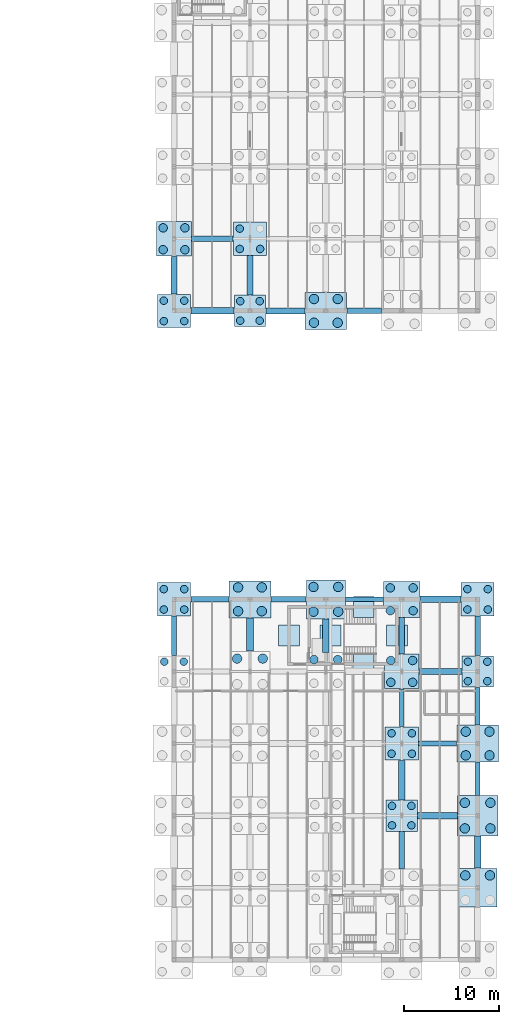
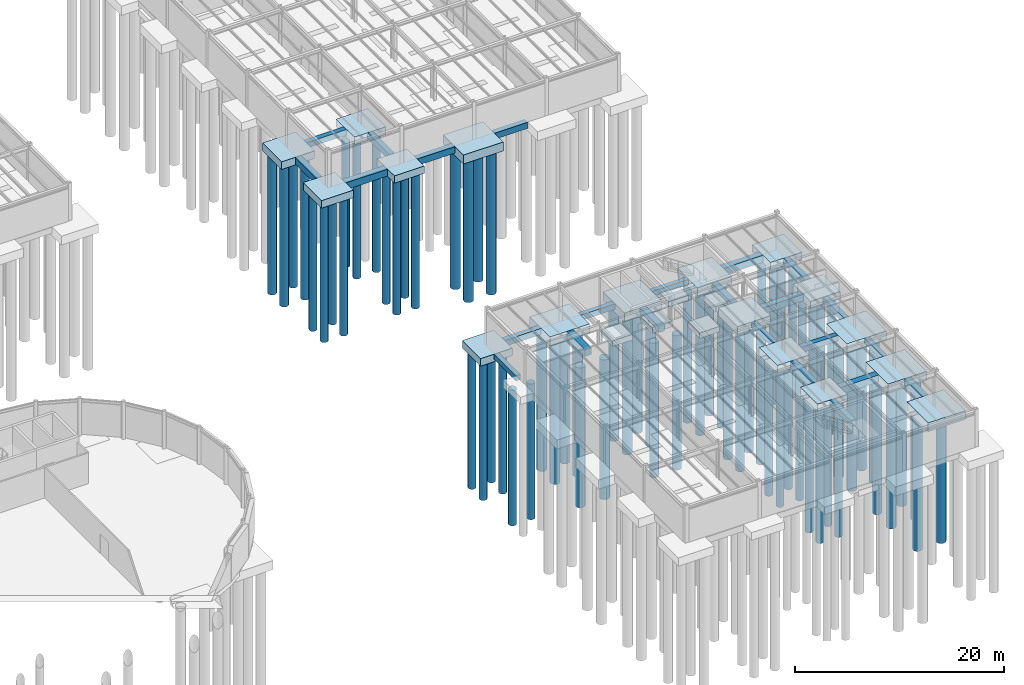
# One storey, part 7 of 33: 71 piles, 46 footings.
"""IFC4 building model written with IfcOpenShell, lengths in metres."""

from ifc_helpers import new_model, si_unit, direction, frame, origin, origin_2d, place, context, subcontext, project, spatial, rectangle, circle, extrude, material, material_profile, profile_set, type_object, element, save


model = new_model("IFC4")

# Units and contexts
model_context = context("Model", 3, precision=1e-05, world=origin(), true_north=direction((0.0, 1.0)))
body_context = subcontext(model_context, "Body", "Model", "MODEL_VIEW")
ifc_project = project(units=[si_unit("LENGTHUNIT", "METRE"), si_unit("AREAUNIT", "SQUARE_METRE"), si_unit("VOLUMEUNIT", "CUBIC_METRE"), si_unit("PLANEANGLEUNIT", "RADIAN"), si_unit("MASSUNIT", "GRAM", prefix="KILO")], contexts=[model_context])

# Site, building, storey
site_placement = place(None, origin())
site = spatial("IfcSite", under=ifc_project, at=site_placement, CompositionType="ELEMENT")
building_placement = place(site_placement, origin())
building = spatial("IfcBuilding", under=site, at=building_placement, Name="Montecoro Central Library", CompositionType="ELEMENT")
storey_placement = place(building_placement, frame((0.0, 0.0, -4.419921875)))
storey = spatial("IfcBuildingStorey", under=building, at=storey_placement, Name="B1", CompositionType="ELEMENT", Elevation=-4.419921875)

# Footings
ifc_material = material(Name="Concrete C35/45", Category="concrete")
footing_type_1 = type_object("IfcFootingType", Name="FT-PAD-220", PredefinedType="PAD_FOOTING", material=ifc_material)
for number, where, z_axis, x_axis, name in (
    (1, (161.0, 36.199951171875, -1.150146484375), (0.0, 0.0, 1.0), (1.0, 0.0, 0.0), "FT-WALL-C7-WS"),
    (2, (161.0, 42.199951171875, -1.150146484375), (0.0, 0.0, 1.0), (1.0, 0.0, 0.0), "FT-WALL-C7-WN"),
    (3, (157.5, 39.199951171875, -1.150146484375), (0.0, 0.0, 1.0), (1.0, 0.0, 0.0), "FT-WALL-C7-WW"),
    (4, (164.5, 39.199951171875, -1.150146484375), (0.0, 0.0, 1.0), (1.0, 0.0, 0.0), "FT-WALL-C7-WE"),
    (5, (153.10009765625, 39.199951171875, -1.150146484375), (0.0, 0.0, 1.0), (1.0, 0.0, 0.0), "FT-WALL-C7-LWW"),
):
    element("IfcFooting", number, at=place(storey_placement, frame(where, z_axis=z_axis, x_axis=x_axis)), inside=storey, type_object=footing_type_1, Name=name, PredefinedType="PAD_FOOTING", context=body_context, shape_type="SweptSolid", body=[
        extrude(rectangle(XDim=2.199951171875, YDim=2.199951171875, at=origin_2d()), origin(), (0.0, 0.0, 1.0), 0.64990234375),
    ])
footing_type_2 = type_object("IfcFootingType", Name="FT-PC-330", PredefinedType="PILE_CAP", material=ifc_material)
for number, where, z_axis, x_axis, name in (
    (6, (149.0, 73.39990234375, -0.85009765625), (0.0, 0.0, 1.0), (1.0, 0.0, 0.0), "V5-CAP-19-K"),
    (7, (165.0, 20.199951171875, -0.85009765625), (0.0, 0.0, 1.0), (1.0, 0.0, 0.0), "V6-CAP-21-C"),
    (8, (173.0, 35.39990234375, -0.85009765625), (0.0, 0.0, 1.0), (1.0, 0.0, 0.0), "V6-CAP-22-E"),
):
    element("IfcFooting", number, at=place(storey_placement, frame(where, z_axis=z_axis, x_axis=x_axis)), inside=storey, type_object=footing_type_2, Name=name, PredefinedType="PILE_CAP", context=body_context, shape_type="SweptSolid", body=[
        extrude(rectangle(XDim=3.300048828125, YDim=3.300048828125, at=origin_2d()), origin(), (0.0, 0.0, 1.0), 0.85009765625),
    ])
footing_type_3 = type_object("IfcFootingType", Name="FT-PC-350", PredefinedType="PILE_CAP", material=ifc_material)
for number, where, z_axis, x_axis, name in (
    (9, (141.0, 73.39990234375, -0.880126953125), (0.0, 0.0, 1.0), (1.0, 0.0, 0.0), "V5-CAP-18-K"),
    (10, (149.0, 81.0, -0.880126953125), (0.0, 0.0, 1.0), (1.0, 0.0, 0.0), "V5-CAP-19-L"),
    (11, (141.0, 43.0, -0.880126953125), (0.0, 0.0, 1.0), (1.0, 0.0, 0.0), "V6-CAP-18-F"),
    (12, (165.0, 27.800048828125, -0.880126953125), (0.0, 0.0, 1.0), (1.0, 0.0, 0.0), "V6-CAP-21-D"),
    (13, (173.0, 43.0, -0.880126953125), (0.0, 0.0, 1.0), (1.0, 0.0, 0.0), "V6-CAP-22-F"),
):
    element("IfcFooting", number, at=place(storey_placement, frame(where, z_axis=z_axis, x_axis=x_axis)), inside=storey, type_object=footing_type_3, Name=name, PredefinedType="PILE_CAP", context=body_context, shape_type="SweptSolid", body=[
        extrude(rectangle(XDim=3.5, YDim=3.5, at=origin_2d()), origin(), (0.0, 0.0, 1.0), 0.8798828125),
    ])
footing_type_4 = type_object("IfcFootingType", Name="FT-PC-365", PredefinedType="PILE_CAP", material=ifc_material)
for number, where, z_axis, x_axis, name in (
    (14, (141.0, 81.0, -0.900146484375), (0.0, 0.0, 1.0), (1.0, 0.0, 0.0), "V5-CAP-18-L"),
    (15, (165.0, 35.39990234375, -0.900146484375), (0.0, 0.0, 1.0), (1.0, 0.0, 0.0), "V6-CAP-21-E"),
):
    element("IfcFooting", number, at=place(storey_placement, frame(where, z_axis=z_axis, x_axis=x_axis)), inside=storey, type_object=footing_type_4, Name=name, PredefinedType="PILE_CAP", context=body_context, shape_type="SweptSolid", body=[
        extrude(rectangle(XDim=3.64990234375, YDim=3.64990234375, at=origin_2d()), origin(), (0.0, 0.0, 1.0), 0.89990234375),
    ])
footing_type_5 = type_object("IfcFootingType", Name="FT-PC-380", PredefinedType="PILE_CAP", material=ifc_material)
footing_1_placement = place(storey_placement, frame((165.0, 43.0, -0.9501953125), z_axis=(0.0, 0.0, 1.0), x_axis=(1.0, 0.0, 0.0)))
element("IfcFooting", 16, at=footing_1_placement, inside=storey, type_object=footing_type_5, Name="V6-CAP-21-F", PredefinedType="PILE_CAP", context=body_context, shape_type="SweptSolid", body=[
    extrude(rectangle(XDim=3.800048828125, YDim=3.800048828125, at=origin_2d()), origin(), (0.0, 0.0, 1.0), 0.949951171875),
])
footing_type_6 = type_object("IfcFootingType", Name="FT-PC-410", PredefinedType="PILE_CAP", material=ifc_material)
for number, where, z_axis, x_axis, name in (
    (17, (157.0, 43.0, -1.02001953125), (0.0, 0.0, 1.0), (1.0, 0.0, 0.0), "V6-CAP-20-F"),
    (18, (173.0, 12.60009765625, -1.02001953125), (0.0, 0.0, 1.0), (1.0, 0.0, 0.0), "V6-CAP-22-B"),
):
    element("IfcFooting", number, at=place(storey_placement, frame(where, z_axis=z_axis, x_axis=x_axis)), inside=storey, type_object=footing_type_6, Name=name, PredefinedType="PILE_CAP", context=body_context, shape_type="SweptSolid", body=[
        extrude(rectangle(XDim=4.10009765625, YDim=4.10009765625, at=origin_2d()), origin(), (0.0, 0.0, 1.0), 1.02001953125),
    ])
footing_type_7 = type_object("IfcFootingType", Name="FT-PC-425", PredefinedType="PILE_CAP", material=ifc_material)
footing_2_placement = place(storey_placement, frame((173.0, 20.199951171875, -1.06005859375), z_axis=(0.0, 0.0, 1.0), x_axis=(1.0, 0.0, 0.0)))
element("IfcFooting", 19, at=footing_2_placement, inside=storey, type_object=footing_type_7, Name="V6-CAP-22-C", PredefinedType="PILE_CAP", context=body_context, shape_type="SweptSolid", body=[
    extrude(rectangle(XDim=4.25, YDim=4.25, at=origin_2d()), origin(), (0.0, 0.0, 1.0), 1.06005859375),
])
footing_type_8 = type_object("IfcFootingType", Name="FT-PC-440", PredefinedType="PILE_CAP", material=ifc_material)
for number, where, z_axis, x_axis, name in (
    (20, (157.0, 73.39990234375, -1.05029296875), (0.0, 0.0, 1.0), (1.0, 0.0, 0.0), "V5-CAP-20-K"),
    (21, (149.0, 43.0, -1.05029296875), (0.0, 0.0, 1.0), (1.0, 0.0, 0.0), "V6-CAP-19-F"),
    (22, (173.0, 27.800048828125, -1.05029296875), (0.0, 0.0, 1.0), (1.0, 0.0, 0.0), "V6-CAP-22-D"),
):
    element("IfcFooting", number, at=place(storey_placement, frame(where, z_axis=z_axis, x_axis=x_axis)), inside=storey, type_object=footing_type_8, Name=name, PredefinedType="PILE_CAP", context=body_context, shape_type="SweptSolid", body=[
        extrude(rectangle(XDim=4.39990234375, YDim=3.89990234375, at=origin_2d()), origin(), (0.0, 0.0, 1.0), 1.050048828125),
    ])
footing_type_9 = type_object("IfcFootingType", Name="FT-TB-01", PredefinedType="FOOTING_BEAM", material=ifc_material)
footing_3_placement = place(storey_placement, frame((141.0, 39.14990234375, -0.60009765625), z_axis=(0.0, 0.0, 1.0), x_axis=(1.0, 0.0, 0.0)))
element("IfcFooting", 23, at=footing_3_placement, inside=storey, type_object=footing_type_9, Name="FT-TBY-130", PredefinedType="FOOTING_BEAM", context=body_context, shape_type="SweptSolid", body=[
    extrude(rectangle(XDim=0.5, YDim=4.159912109375, at=origin_2d()), origin(), (0.0, 0.0, 1.0), 0.60009765625),
])
footing_4_placement = place(storey_placement, frame((161.074951171875, 43.0, -0.60009765625), z_axis=(0.0, 0.0, 1.0), x_axis=(1.0, 0.0, 0.0)))
element("IfcFooting", 24, at=footing_4_placement, inside=storey, type_object=footing_type_9, Name="FT-TBX-180", PredefinedType="FOOTING_BEAM", context=body_context, shape_type="SweptSolid", body=[
    extrude(rectangle(XDim=4.010009765625, YDim=0.5, at=origin_2d()), origin(), (0.0, 0.0, 1.0), 0.60009765625),
])
footing_5_placement = place(storey_placement, frame((165.0, 31.56201171875, -0.60009765625), z_axis=(0.0, 0.0, 1.0), x_axis=(1.0, 0.0, 0.0)))
element("IfcFooting", 25, at=footing_5_placement, inside=storey, type_object=footing_type_9, Name="FT-TBY-200", PredefinedType="FOOTING_BEAM", context=body_context, shape_type="SweptSolid", body=[
    extrude(rectangle(XDim=0.5, YDim=3.985107421875, at=origin_2d()), origin(), (0.0, 0.0, 1.0), 0.60009765625),
])
footing_6_placement = place(storey_placement, frame((173.0, 24.0869140625, -0.60009765625), z_axis=(0.0, 0.0, 1.0), x_axis=(1.0, 0.0, 0.0)))
element("IfcFooting", 26, at=footing_6_placement, inside=storey, type_object=footing_type_9, Name="FT-TBY-220", PredefinedType="FOOTING_BEAM", context=body_context, shape_type="SweptSolid", body=[
    extrude(rectangle(XDim=0.5, YDim=3.485107421875, at=origin_2d()), origin(), (0.0, 0.0, 1.0), 0.60009765625),
])
footing_type_10 = type_object("IfcFootingType", Name="FT-TB-02", PredefinedType="FOOTING_BEAM", material=ifc_material)
footing_7_placement = place(storey_placement, frame((145.037109375, 81.0, -0.650146484375), z_axis=(0.0, 0.0, 1.0), x_axis=(1.0, 0.0, 0.0)))
element("IfcFooting", 27, at=footing_7_placement, inside=storey, type_object=footing_type_10, Name="FT-TBX-136", PredefinedType="FOOTING_BEAM", context=body_context, shape_type="SweptSolid", body=[
    extrude(rectangle(XDim=4.385009765625, YDim=0.550048828125, at=origin_2d()), origin(), (0.0, 0.0, 1.0), 0.64990234375),
])
footing_8_placement = place(storey_placement, frame((153.074951171875, 43.0, -0.650146484375), z_axis=(0.0, 0.0, 1.0), x_axis=(1.0, 0.0, 0.0)))
element("IfcFooting", 28, at=footing_8_placement, inside=storey, type_object=footing_type_10, Name="FT-TBX-156", PredefinedType="FOOTING_BEAM", context=body_context, shape_type="SweptSolid", body=[
    extrude(rectangle(XDim=3.7099609375, YDim=0.550048828125, at=origin_2d()), origin(), (0.0, 0.0, 1.0), 0.64990234375),
])
footing_9_placement = place(storey_placement, frame((165.0, 16.550048828125, -0.650146484375), z_axis=(0.0, 0.0, 1.0), x_axis=(1.0, 0.0, 0.0)))
element("IfcFooting", 29, at=footing_9_placement, inside=storey, type_object=footing_type_10, Name="FT-TBY-196", PredefinedType="FOOTING_BEAM", context=body_context, shape_type="SweptSolid", body=[
    extrude(rectangle(XDim=0.550048828125, YDim=3.9599609375, at=origin_2d()), origin(), (0.0, 0.0, 1.0), 0.64990234375),
])
footing_10_placement = place(storey_placement, frame((168.77490234375, 27.800048828125, -0.650146484375), z_axis=(0.0, 0.0, 1.0), x_axis=(1.0, 0.0, 0.0)))
element("IfcFooting", 30, at=footing_10_placement, inside=storey, type_object=footing_type_10, Name="FT-TBX-201", PredefinedType="FOOTING_BEAM", context=body_context, shape_type="SweptSolid", body=[
    extrude(rectangle(XDim=4.010009765625, YDim=0.550048828125, at=origin_2d()), origin(), (0.0, 0.0, 1.0), 0.64990234375),
])
footing_11_placement = place(storey_placement, frame((173.0, 31.75, -0.650146484375), z_axis=(0.0, 0.0, 1.0), x_axis=(1.0, 0.0, 0.0)))
element("IfcFooting", 31, at=footing_11_placement, inside=storey, type_object=footing_type_10, Name="FT-TBY-221", PredefinedType="FOOTING_BEAM", context=body_context, shape_type="SweptSolid", body=[
    extrude(rectangle(XDim=0.550048828125, YDim=3.9599609375, at=origin_2d()), origin(), (0.0, 0.0, 1.0), 0.64990234375),
])
footing_type_11 = type_object("IfcFootingType", Name="FT-TB-03", PredefinedType="FOOTING_BEAM", material=ifc_material)
footing_12_placement = place(storey_placement, frame((144.77490234375, 43.0, -0.7001953125), z_axis=(0.0, 0.0, 1.0), x_axis=(1.0, 0.0, 0.0)))
element("IfcFooting", 32, at=footing_12_placement, inside=storey, type_object=footing_type_11, Name="FT-TBX-132", PredefinedType="FOOTING_BEAM", context=body_context, shape_type="SweptSolid", body=[
    extrude(rectangle(XDim=4.010009765625, YDim=0.60009765625, at=origin_2d()), origin(), (0.0, 0.0, 1.0), 0.699951171875),
])
footing_13_placement = place(storey_placement, frame((149.0, 77.14990234375, -0.7001953125), z_axis=(0.0, 0.0, 1.0), x_axis=(1.0, 0.0, 0.0)))
element("IfcFooting", 33, at=footing_13_placement, inside=storey, type_object=footing_type_11, Name="FT-TBY-157", PredefinedType="FOOTING_BEAM", context=body_context, shape_type="SweptSolid", body=[
    extrude(rectangle(XDim=0.60009765625, YDim=4.159912109375, at=origin_2d()), origin(), (0.0, 0.0, 1.0), 0.699951171875),
])
footing_14_placement = place(storey_placement, frame((161.037109375, 73.39990234375, -0.7001953125), z_axis=(0.0, 0.0, 1.0), x_axis=(1.0, 0.0, 0.0)))
element("IfcFooting", 34, at=footing_14_placement, inside=storey, type_object=footing_type_11, Name="FT-TBX-182", PredefinedType="FOOTING_BEAM", context=body_context, shape_type="SweptSolid", body=[
    extrude(rectangle(XDim=3.635009765625, YDim=0.60009765625, at=origin_2d()), origin(), (0.0, 0.0, 1.0), 0.699951171875),
])
footing_15_placement = place(storey_placement, frame((165.0, 39.162109375, -0.7001953125), z_axis=(0.0, 0.0, 1.0), x_axis=(1.0, 0.0, 0.0)))
element("IfcFooting", 35, at=footing_15_placement, inside=storey, type_object=footing_type_11, Name="FT-TBY-202", PredefinedType="FOOTING_BEAM", context=body_context, shape_type="SweptSolid", body=[
    extrude(rectangle(XDim=0.60009765625, YDim=3.8349609375, at=origin_2d()), origin(), (0.0, 0.0, 1.0), 0.699951171875),
])
footing_16_placement = place(storey_placement, frame((173.0, 39.14990234375, -0.7001953125), z_axis=(0.0, 0.0, 1.0), x_axis=(1.0, 0.0, 0.0)))
element("IfcFooting", 36, at=footing_16_placement, inside=storey, type_object=footing_type_11, Name="FT-TBY-222", PredefinedType="FOOTING_BEAM", context=body_context, shape_type="SweptSolid", body=[
    extrude(rectangle(XDim=0.60009765625, YDim=4.159912109375, at=origin_2d()), origin(), (0.0, 0.0, 1.0), 0.699951171875),
])
footing_type_12 = type_object("IfcFootingType", Name="FT-TB-04", PredefinedType="FOOTING_BEAM", material=ifc_material)
footing_17_placement = place(storey_placement, frame((141.0, 77.162109375, -0.75), z_axis=(0.0, 0.0, 1.0), x_axis=(1.0, 0.0, 0.0)))
element("IfcFooting", 37, at=footing_17_placement, inside=storey, type_object=footing_type_12, Name="FT-TBY-133", PredefinedType="FOOTING_BEAM", context=body_context, shape_type="SweptSolid", body=[
    extrude(rectangle(XDim=0.64990234375, YDim=3.985107421875, at=origin_2d()), origin(), (0.0, 0.0, 1.0), 0.75),
])
footing_18_placement = place(storey_placement, frame((152.72509765625, 73.39990234375, -0.75), z_axis=(0.0, 0.0, 1.0), x_axis=(1.0, 0.0, 0.0)))
element("IfcFooting", 38, at=footing_18_placement, inside=storey, type_object=footing_type_12, Name="FT-TBX-158", PredefinedType="FOOTING_BEAM", context=body_context, shape_type="SweptSolid", body=[
    extrude(rectangle(XDim=4.110107421875, YDim=0.64990234375, at=origin_2d()), origin(), (0.0, 0.0, 1.0), 0.75),
])
footing_19_placement = place(storey_placement, frame((157.0, 39.1630859375, -0.75), z_axis=(0.0, 0.0, 1.0), x_axis=(1.0, 0.0, 0.0)))
element("IfcFooting", 39, at=footing_19_placement, inside=storey, type_object=footing_type_12, Name="FT-TBY-178", PredefinedType="FOOTING_BEAM", context=body_context, shape_type="SweptSolid", body=[
    extrude(rectangle(XDim=0.64990234375, YDim=3.534912109375, at=origin_2d()), origin(), (0.0, 0.0, 1.0), 0.75),
])
footing_20_placement = place(storey_placement, frame((165.0, 23.949951171875, -0.75), z_axis=(0.0, 0.0, 1.0), x_axis=(1.0, 0.0, 0.0)))
element("IfcFooting", 40, at=footing_20_placement, inside=storey, type_object=footing_type_12, Name="FT-TBY-198", PredefinedType="FOOTING_BEAM", context=body_context, shape_type="SweptSolid", body=[
    extrude(rectangle(XDim=0.64990234375, YDim=4.159912109375, at=origin_2d()), origin(), (0.0, 0.0, 1.0), 0.75),
])
footing_21_placement = place(storey_placement, frame((169.087890625, 35.39990234375, -0.75), z_axis=(0.0, 0.0, 1.0), x_axis=(1.0, 0.0, 0.0)))
element("IfcFooting", 41, at=footing_21_placement, inside=storey, type_object=footing_type_12, Name="FT-TBX-203", PredefinedType="FOOTING_BEAM", context=body_context, shape_type="SweptSolid", body=[
    extrude(rectangle(XDim=4.485107421875, YDim=0.64990234375, at=origin_2d()), origin(), (0.0, 0.0, 1.0), 0.75),
])
footing_type_13 = type_object("IfcFootingType", Name="FT-TB-05", PredefinedType="FOOTING_BEAM", material=ifc_material)
footing_22_placement = place(storey_placement, frame((145.050048828125, 73.39990234375, -0.80029296875), z_axis=(0.0, 0.0, 1.0), x_axis=(1.0, 0.0, 0.0)))
element("IfcFooting", 42, at=footing_22_placement, inside=storey, type_object=footing_type_13, Name="FT-TBX-134", PredefinedType="FOOTING_BEAM", context=body_context, shape_type="SweptSolid", body=[
    extrude(rectangle(XDim=4.56005859375, YDim=0.699951171875, at=origin_2d()), origin(), (0.0, 0.0, 1.0), 0.800048828125),
])
footing_23_placement = place(storey_placement, frame((149.0, 39.2880859375, -0.80029296875), z_axis=(0.0, 0.0, 1.0), x_axis=(1.0, 0.0, 0.0)))
element("IfcFooting", 43, at=footing_23_placement, inside=storey, type_object=footing_type_13, Name="FT-TBY-154", PredefinedType="FOOTING_BEAM", context=body_context, shape_type="SweptSolid", body=[
    extrude(rectangle(XDim=0.699951171875, YDim=3.485107421875, at=origin_2d()), origin(), (0.0, 0.0, 1.0), 0.800048828125),
])
footing_24_placement = place(storey_placement, frame((168.761962890625, 20.199951171875, -0.80029296875), z_axis=(0.0, 0.0, 1.0), x_axis=(1.0, 0.0, 0.0)))
element("IfcFooting", 44, at=footing_24_placement, inside=storey, type_object=footing_type_13, Name="FT-TBX-199", PredefinedType="FOOTING_BEAM", context=body_context, shape_type="SweptSolid", body=[
    extrude(rectangle(XDim=4.18505859375, YDim=0.699951171875, at=origin_2d()), origin(), (0.0, 0.0, 1.0), 0.800048828125),
])
footing_25_placement = place(storey_placement, frame((169.074951171875, 43.0, -0.80029296875), z_axis=(0.0, 0.0, 1.0), x_axis=(1.0, 0.0, 0.0)))
element("IfcFooting", 45, at=footing_25_placement, inside=storey, type_object=footing_type_13, Name="FT-TBX-204", PredefinedType="FOOTING_BEAM", context=body_context, shape_type="SweptSolid", body=[
    extrude(rectangle(XDim=4.31005859375, YDim=0.699951171875, at=origin_2d()), origin(), (0.0, 0.0, 1.0), 0.800048828125),
])
footing_26_placement = place(storey_placement, frame((173.0, 16.363037109375, -0.80029296875), z_axis=(0.0, 0.0, 1.0), x_axis=(1.0, 0.0, 0.0)))
element("IfcFooting", 46, at=footing_26_placement, inside=storey, type_object=footing_type_13, Name="FT-TBY-219", PredefinedType="FOOTING_BEAM", context=body_context, shape_type="SweptSolid", body=[
    extrude(rectangle(XDim=0.699951171875, YDim=3.385009765625, at=origin_2d()), origin(), (0.0, 0.0, 1.0), 0.800048828125),
])

# Piles
ifc_material_profile_1 = material_profile(ifc_material, circle(Radius=0.5, at=origin_2d()), Name="PILE D1000")
ifc_profile_set_1 = profile_set([ifc_material_profile_1], Name="Concrete C35/45")
pile_type_1 = type_object("IfcPileType", Name="PL-BORED-1000", PredefinedType="BORED", material=ifc_profile_set_1)
for number, where, z_axis, x_axis, name in (
    (47, (155.75, 72.14990234375, -0.9501953125), (0.0, 0.0, -1.0), (1.0, 0.0, 0.0), "V5-CAP-20-K-P1"),
    (48, (155.75, 74.64990234375, -0.9501953125), (0.0, 0.0, -1.0), (1.0, 0.0, 0.0), "V5-CAP-20-K-P2"),
    (49, (158.25, 72.14990234375, -0.9501953125), (0.0, 0.0, -1.0), (1.0, 0.0, 0.0), "V5-CAP-20-K-P3"),
    (50, (158.25, 74.64990234375, -0.9501953125), (0.0, 0.0, -1.0), (1.0, 0.0, 0.0), "V5-CAP-20-K-P4"),
):
    element("IfcPile", number, at=place(storey_placement, frame(where, z_axis=z_axis, x_axis=x_axis)), inside=storey, type_object=pile_type_1, Name=name, PredefinedType="BORED", context=body_context, shape_type="SweptSolid", body=[
        extrude(circle(Radius=0.5, at=origin_2d()), origin(), (0.0, 0.0, 1.0), 16.679931640625),
    ])
for number, where, z_axis, x_axis, name in (
    (51, (147.64990234375, 36.75, -0.9599609375), (0.0, 0.0, -1.0), (1.0, 0.0, 0.0), "V6-CAP-19-E-P2"),
    (52, (150.35009765625, 36.75, -0.9599609375), (0.0, 0.0, -1.0), (1.0, 0.0, 0.0), "V6-CAP-19-E-P4"),
):
    element("IfcPile", number, at=place(storey_placement, frame(where, z_axis=z_axis, x_axis=x_axis)), inside=storey, type_object=pile_type_1, Name=name, PredefinedType="BORED", context=body_context, shape_type="SweptSolid", body=[
        extrude(circle(Radius=0.5, at=origin_2d()), origin(), (0.0, 0.0, 1.0), 16.320068359375),
    ])
for number, where, z_axis, x_axis, name in (
    (53, (147.75, 41.75, -0.9501953125), (0.0, 0.0, -1.0), (1.0, 0.0, 0.0), "V6-CAP-19-F-P1"),
    (54, (147.75, 44.25, -0.9501953125), (0.0, 0.0, -1.0), (1.0, 0.0, 0.0), "V6-CAP-19-F-P2"),
    (55, (150.25, 41.75, -0.9501953125), (0.0, 0.0, -1.0), (1.0, 0.0, 0.0), "V6-CAP-19-F-P3"),
    (56, (150.25, 44.25, -0.9501953125), (0.0, 0.0, -1.0), (1.0, 0.0, 0.0), "V6-CAP-19-F-P4"),
):
    element("IfcPile", number, at=place(storey_placement, frame(where, z_axis=z_axis, x_axis=x_axis)), inside=storey, type_object=pile_type_1, Name=name, PredefinedType="BORED", context=body_context, shape_type="SweptSolid", body=[
        extrude(circle(Radius=0.5, at=origin_2d()), origin(), (0.0, 0.0, 1.0), 16.679931640625),
    ])
for number, where, z_axis, x_axis, name in (
    (57, (155.699951171875, 41.699951171875, -0.920166015625), (0.0, 0.0, -1.0), (1.0, 0.0, 0.0), "V6-CAP-20-F-P1"),
    (58, (155.699951171875, 44.300048828125, -0.920166015625), (0.0, 0.0, -1.0), (1.0, 0.0, 0.0), "V6-CAP-20-F-P2"),
    (59, (158.300048828125, 41.699951171875, -0.920166015625), (0.0, 0.0, -1.0), (1.0, 0.0, 0.0), "V6-CAP-20-F-P3"),
    (60, (158.300048828125, 44.300048828125, -0.920166015625), (0.0, 0.0, -1.0), (1.0, 0.0, 0.0), "V6-CAP-20-F-P4"),
    (61, (171.699951171875, 13.89990234375, -0.920166015625), (0.0, 0.0, -1.0), (1.0, 0.0, 0.0), "V6-CAP-22-B-P2"),
    (62, (174.300048828125, 13.89990234375, -0.920166015625), (0.0, 0.0, -1.0), (1.0, 0.0, 0.0), "V6-CAP-22-B-P4"),
):
    element("IfcPile", number, at=place(storey_placement, frame(where, z_axis=z_axis, x_axis=x_axis)), inside=storey, type_object=pile_type_1, Name=name, PredefinedType="BORED", context=body_context, shape_type="SweptSolid", body=[
        extrude(circle(Radius=0.5, at=origin_2d()), origin(), (0.0, 0.0, 1.0), 16.010009765625),
    ])
for number, where, z_axis, x_axis, name in (
    (63, (171.64990234375, 18.85009765625, -0.9599609375), (0.0, 0.0, -1.0), (1.0, 0.0, 0.0), "V6-CAP-22-C-P1"),
    (64, (171.64990234375, 21.550048828125, -0.9599609375), (0.0, 0.0, -1.0), (1.0, 0.0, 0.0), "V6-CAP-22-C-P2"),
    (65, (174.35009765625, 18.85009765625, -0.9599609375), (0.0, 0.0, -1.0), (1.0, 0.0, 0.0), "V6-CAP-22-C-P3"),
    (66, (174.35009765625, 21.550048828125, -0.9599609375), (0.0, 0.0, -1.0), (1.0, 0.0, 0.0), "V6-CAP-22-C-P4"),
):
    element("IfcPile", number, at=place(storey_placement, frame(where, z_axis=z_axis, x_axis=x_axis)), inside=storey, type_object=pile_type_1, Name=name, PredefinedType="BORED", context=body_context, shape_type="SweptSolid", body=[
        extrude(circle(Radius=0.5, at=origin_2d()), origin(), (0.0, 0.0, 1.0), 16.320068359375),
    ])
for number, where, z_axis, x_axis, name in (
    (67, (171.75, 26.550048828125, -0.9501953125), (0.0, 0.0, -1.0), (1.0, 0.0, 0.0), "V6-CAP-22-D-P1"),
    (68, (171.75, 29.050048828125, -0.9501953125), (0.0, 0.0, -1.0), (1.0, 0.0, 0.0), "V6-CAP-22-D-P2"),
    (69, (174.25, 26.550048828125, -0.9501953125), (0.0, 0.0, -1.0), (1.0, 0.0, 0.0), "V6-CAP-22-D-P3"),
    (70, (174.25, 29.050048828125, -0.9501953125), (0.0, 0.0, -1.0), (1.0, 0.0, 0.0), "V6-CAP-22-D-P4"),
):
    element("IfcPile", number, at=place(storey_placement, frame(where, z_axis=z_axis, x_axis=x_axis)), inside=storey, type_object=pile_type_1, Name=name, PredefinedType="BORED", context=body_context, shape_type="SweptSolid", body=[
        extrude(circle(Radius=0.5, at=origin_2d()), origin(), (0.0, 0.0, 1.0), 16.679931640625),
    ])
ifc_material_profile_2 = material_profile(ifc_material, circle(Radius=0.39990234375, at=origin_2d()), Name="PILE D800")
ifc_profile_set_2 = profile_set([ifc_material_profile_2], Name="Concrete C35/45")
pile_type_2 = type_object("IfcPileType", Name="PL-BORED-800", PredefinedType="BORED", material=ifc_profile_set_2)
for number, where, z_axis, x_axis, name in (
    (71, (139.925048828125, 72.324951171875, -0.780029296875), (0.0, 0.0, -1.0), (1.0, 0.0, 0.0), "V5-CAP-18-K-P1"),
    (72, (139.925048828125, 74.47509765625, -0.780029296875), (0.0, 0.0, -1.0), (1.0, 0.0, 0.0), "V5-CAP-18-K-P2"),
    (73, (142.074951171875, 72.324951171875, -0.780029296875), (0.0, 0.0, -1.0), (1.0, 0.0, 0.0), "V5-CAP-18-K-P3"),
    (74, (142.074951171875, 74.47509765625, -0.780029296875), (0.0, 0.0, -1.0), (1.0, 0.0, 0.0), "V5-CAP-18-K-P4"),
):
    element("IfcPile", number, at=place(storey_placement, frame(where, z_axis=z_axis, x_axis=x_axis)), inside=storey, type_object=pile_type_2, Name=name, PredefinedType="BORED", context=body_context, shape_type="SweptSolid", body=[
        extrude(circle(Radius=0.39990234375, at=origin_2d()), origin(), (0.0, 0.0, 1.0), 16.14990234375),
    ])
for number, where, z_axis, x_axis, name in (
    (75, (147.97509765625, 72.375, -0.75), (0.0, 0.0, -1.0), (1.0, 0.0, 0.0), "V5-CAP-19-K-P1"),
    (76, (147.97509765625, 74.425048828125, -0.75), (0.0, 0.0, -1.0), (1.0, 0.0, 0.0), "V5-CAP-19-K-P2"),
    (77, (150.02490234375, 72.375, -0.75), (0.0, 0.0, -1.0), (1.0, 0.0, 0.0), "V5-CAP-19-K-P3"),
    (78, (150.02490234375, 74.425048828125, -0.75), (0.0, 0.0, -1.0), (1.0, 0.0, 0.0), "V5-CAP-19-K-P4"),
):
    element("IfcPile", number, at=place(storey_placement, frame(where, z_axis=z_axis, x_axis=x_axis)), inside=storey, type_object=pile_type_2, Name=name, PredefinedType="BORED", context=body_context, shape_type="SweptSolid", body=[
        extrude(circle(Radius=0.39990234375, at=origin_2d()), origin(), (0.0, 0.0, 1.0), 15.830078125),
    ])
for number, where, z_axis, x_axis, name in (
    (79, (147.925048828125, 79.925048828125, -0.780029296875), (0.0, 0.0, -1.0), (1.0, 0.0, 0.0), "V5-CAP-19-L-P1"),
    (80, (147.925048828125, 82.074951171875, -0.780029296875), (0.0, 0.0, -1.0), (1.0, 0.0, 0.0), "V5-CAP-19-L-P2"),
    (81, (150.074951171875, 79.925048828125, -0.780029296875), (0.0, 0.0, -1.0), (1.0, 0.0, 0.0), "V5-CAP-19-L-P3"),
):
    element("IfcPile", number, at=place(storey_placement, frame(where, z_axis=z_axis, x_axis=x_axis)), inside=storey, type_object=pile_type_2, Name=name, PredefinedType="BORED", context=body_context, shape_type="SweptSolid", body=[
        extrude(circle(Radius=0.39990234375, at=origin_2d()), origin(), (0.0, 0.0, 1.0), 16.14990234375),
    ])
for number, where, z_axis, x_axis, name in (
    (82, (139.97509765625, 36.425048828125, -0.75), (0.0, 0.0, -1.0), (1.0, 0.0, 0.0), "V6-CAP-18-E-P2"),
    (83, (142.02490234375, 36.425048828125, -0.75), (0.0, 0.0, -1.0), (1.0, 0.0, 0.0), "V6-CAP-18-E-P4"),
):
    element("IfcPile", number, at=place(storey_placement, frame(where, z_axis=z_axis, x_axis=x_axis)), inside=storey, type_object=pile_type_2, Name=name, PredefinedType="BORED", context=body_context, shape_type="SweptSolid", body=[
        extrude(circle(Radius=0.39990234375, at=origin_2d()), origin(), (0.0, 0.0, 1.0), 15.830078125),
    ])
for number, where, z_axis, x_axis, name in (
    (84, (139.925048828125, 41.925048828125, -0.780029296875), (0.0, 0.0, -1.0), (1.0, 0.0, 0.0), "V6-CAP-18-F-P1"),
    (85, (139.925048828125, 44.074951171875, -0.780029296875), (0.0, 0.0, -1.0), (1.0, 0.0, 0.0), "V6-CAP-18-F-P2"),
    (86, (142.074951171875, 41.925048828125, -0.780029296875), (0.0, 0.0, -1.0), (1.0, 0.0, 0.0), "V6-CAP-18-F-P3"),
    (87, (142.074951171875, 44.074951171875, -0.780029296875), (0.0, 0.0, -1.0), (1.0, 0.0, 0.0), "V6-CAP-18-F-P4"),
):
    element("IfcPile", number, at=place(storey_placement, frame(where, z_axis=z_axis, x_axis=x_axis)), inside=storey, type_object=pile_type_2, Name=name, PredefinedType="BORED", context=body_context, shape_type="SweptSolid", body=[
        extrude(circle(Radius=0.39990234375, at=origin_2d()), origin(), (0.0, 0.0, 1.0), 16.14990234375),
    ])
for number, where, z_axis, x_axis, name in (
    (88, (163.97509765625, 19.175048828125, -0.75), (0.0, 0.0, -1.0), (1.0, 0.0, 0.0), "V6-CAP-21-C-P1"),
    (89, (163.97509765625, 21.22509765625, -0.75), (0.0, 0.0, -1.0), (1.0, 0.0, 0.0), "V6-CAP-21-C-P2"),
    (90, (166.02490234375, 19.175048828125, -0.75), (0.0, 0.0, -1.0), (1.0, 0.0, 0.0), "V6-CAP-21-C-P3"),
    (91, (166.02490234375, 21.22509765625, -0.75), (0.0, 0.0, -1.0), (1.0, 0.0, 0.0), "V6-CAP-21-C-P4"),
):
    element("IfcPile", number, at=place(storey_placement, frame(where, z_axis=z_axis, x_axis=x_axis)), inside=storey, type_object=pile_type_2, Name=name, PredefinedType="BORED", context=body_context, shape_type="SweptSolid", body=[
        extrude(circle(Radius=0.39990234375, at=origin_2d()), origin(), (0.0, 0.0, 1.0), 15.830078125),
    ])
for number, where, z_axis, x_axis, name in (
    (92, (163.925048828125, 26.72509765625, -0.780029296875), (0.0, 0.0, -1.0), (1.0, 0.0, 0.0), "V6-CAP-21-D-P1"),
    (93, (163.925048828125, 28.875, -0.780029296875), (0.0, 0.0, -1.0), (1.0, 0.0, 0.0), "V6-CAP-21-D-P2"),
    (94, (166.074951171875, 26.72509765625, -0.780029296875), (0.0, 0.0, -1.0), (1.0, 0.0, 0.0), "V6-CAP-21-D-P3"),
    (95, (166.074951171875, 28.875, -0.780029296875), (0.0, 0.0, -1.0), (1.0, 0.0, 0.0), "V6-CAP-21-D-P4"),
):
    element("IfcPile", number, at=place(storey_placement, frame(where, z_axis=z_axis, x_axis=x_axis)), inside=storey, type_object=pile_type_2, Name=name, PredefinedType="BORED", context=body_context, shape_type="SweptSolid", body=[
        extrude(circle(Radius=0.39990234375, at=origin_2d()), origin(), (0.0, 0.0, 1.0), 16.14990234375),
    ])
for number, where, z_axis, x_axis, name in (
    (96, (171.97509765625, 34.375, -0.75), (0.0, 0.0, -1.0), (1.0, 0.0, 0.0), "V6-CAP-22-E-P1"),
    (97, (171.97509765625, 36.425048828125, -0.75), (0.0, 0.0, -1.0), (1.0, 0.0, 0.0), "V6-CAP-22-E-P2"),
    (98, (174.02490234375, 34.375, -0.75), (0.0, 0.0, -1.0), (1.0, 0.0, 0.0), "V6-CAP-22-E-P3"),
    (99, (174.02490234375, 36.425048828125, -0.75), (0.0, 0.0, -1.0), (1.0, 0.0, 0.0), "V6-CAP-22-E-P4"),
):
    element("IfcPile", number, at=place(storey_placement, frame(where, z_axis=z_axis, x_axis=x_axis)), inside=storey, type_object=pile_type_2, Name=name, PredefinedType="BORED", context=body_context, shape_type="SweptSolid", body=[
        extrude(circle(Radius=0.39990234375, at=origin_2d()), origin(), (0.0, 0.0, 1.0), 15.830078125),
    ])
for number, where, z_axis, x_axis, name in (
    (100, (171.925048828125, 41.925048828125, -0.780029296875), (0.0, 0.0, -1.0), (1.0, 0.0, 0.0), "V6-CAP-22-F-P1"),
    (101, (171.925048828125, 44.074951171875, -0.780029296875), (0.0, 0.0, -1.0), (1.0, 0.0, 0.0), "V6-CAP-22-F-P2"),
    (102, (174.074951171875, 41.925048828125, -0.780029296875), (0.0, 0.0, -1.0), (1.0, 0.0, 0.0), "V6-CAP-22-F-P3"),
    (103, (174.074951171875, 44.074951171875, -0.780029296875), (0.0, 0.0, -1.0), (1.0, 0.0, 0.0), "V6-CAP-22-F-P4"),
):
    element("IfcPile", number, at=place(storey_placement, frame(where, z_axis=z_axis, x_axis=x_axis)), inside=storey, type_object=pile_type_2, Name=name, PredefinedType="BORED", context=body_context, shape_type="SweptSolid", body=[
        extrude(circle(Radius=0.39990234375, at=origin_2d()), origin(), (0.0, 0.0, 1.0), 16.14990234375),
    ])
ifc_material_profile_3 = material_profile(ifc_material, circle(Radius=0.449951171875, at=origin_2d()), Name="PILE D900")
ifc_profile_set_3 = profile_set([ifc_material_profile_3], Name="Concrete C35/45")
pile_type_3 = type_object("IfcPileType", Name="PL-BORED-900", PredefinedType="BORED", material=ifc_profile_set_3)
for number, where, z_axis, x_axis, name in (
    (104, (139.85009765625, 79.85009765625, -0.800048828125), (0.0, 0.0, -1.0), (1.0, 0.0, 0.0), "V5-CAP-18-L-P1"),
    (105, (139.85009765625, 82.14990234375, -0.800048828125), (0.0, 0.0, -1.0), (1.0, 0.0, 0.0), "V5-CAP-18-L-P2"),
    (106, (142.14990234375, 79.85009765625, -0.800048828125), (0.0, 0.0, -1.0), (1.0, 0.0, 0.0), "V5-CAP-18-L-P3"),
    (107, (142.14990234375, 82.14990234375, -0.800048828125), (0.0, 0.0, -1.0), (1.0, 0.0, 0.0), "V5-CAP-18-L-P4"),
):
    element("IfcPile", number, at=place(storey_placement, frame(where, z_axis=z_axis, x_axis=x_axis)), inside=storey, type_object=pile_type_3, Name=name, PredefinedType="BORED", context=body_context, shape_type="SweptSolid", body=[
        extrude(circle(Radius=0.449951171875, at=origin_2d()), origin(), (0.0, 0.0, 1.0), 16.47998046875),
    ])
for number, where, z_axis, x_axis, name in (
    (108, (155.75, 36.64990234375, -0.880126953125), (0.0, 0.0, -1.0), (1.0, 0.0, 0.0), "V6-CAP-20-E-P2"),
    (109, (158.25, 36.64990234375, -0.880126953125), (0.0, 0.0, -1.0), (1.0, 0.0, 0.0), "V6-CAP-20-E-P4"),
):
    element("IfcPile", number, at=place(storey_placement, frame(where, z_axis=z_axis, x_axis=x_axis)), inside=storey, type_object=pile_type_3, Name=name, PredefinedType="BORED", context=body_context, shape_type="SweptSolid", body=[
        extrude(circle(Radius=0.449951171875, at=origin_2d()), origin(), (0.0, 0.0, 1.0), 15.699951171875),
    ])
for number, where, z_axis, x_axis, name in (
    (110, (163.85009765625, 34.25, -0.800048828125), (0.0, 0.0, -1.0), (1.0, 0.0, 0.0), "V6-CAP-21-E-P1"),
    (111, (163.85009765625, 36.550048828125, -0.800048828125), (0.0, 0.0, -1.0), (1.0, 0.0, 0.0), "V6-CAP-21-E-P2"),
    (112, (166.14990234375, 34.25, -0.800048828125), (0.0, 0.0, -1.0), (1.0, 0.0, 0.0), "V6-CAP-21-E-P3"),
    (113, (166.14990234375, 36.550048828125, -0.800048828125), (0.0, 0.0, -1.0), (1.0, 0.0, 0.0), "V6-CAP-21-E-P4"),
):
    element("IfcPile", number, at=place(storey_placement, frame(where, z_axis=z_axis, x_axis=x_axis)), inside=storey, type_object=pile_type_3, Name=name, PredefinedType="BORED", context=body_context, shape_type="SweptSolid", body=[
        extrude(circle(Radius=0.449951171875, at=origin_2d()), origin(), (0.0, 0.0, 1.0), 16.47998046875),
    ])
for number, where, z_axis, x_axis, name in (
    (114, (163.800048828125, 41.800048828125, -0.85009765625), (0.0, 0.0, -1.0), (1.0, 0.0, 0.0), "V6-CAP-21-F-P1"),
    (115, (163.800048828125, 44.199951171875, -0.85009765625), (0.0, 0.0, -1.0), (1.0, 0.0, 0.0), "V6-CAP-21-F-P2"),
    (116, (166.199951171875, 41.800048828125, -0.85009765625), (0.0, 0.0, -1.0), (1.0, 0.0, 0.0), "V6-CAP-21-F-P3"),
    (117, (166.199951171875, 44.199951171875, -0.85009765625), (0.0, 0.0, -1.0), (1.0, 0.0, 0.0), "V6-CAP-21-F-P4"),
):
    element("IfcPile", number, at=place(storey_placement, frame(where, z_axis=z_axis, x_axis=x_axis)), inside=storey, type_object=pile_type_3, Name=name, PredefinedType="BORED", context=body_context, shape_type="SweptSolid", body=[
        extrude(circle(Radius=0.449951171875, at=origin_2d()), origin(), (0.0, 0.0, 1.0), 16.780029296875),
    ])

save(model, "model.ifc")
